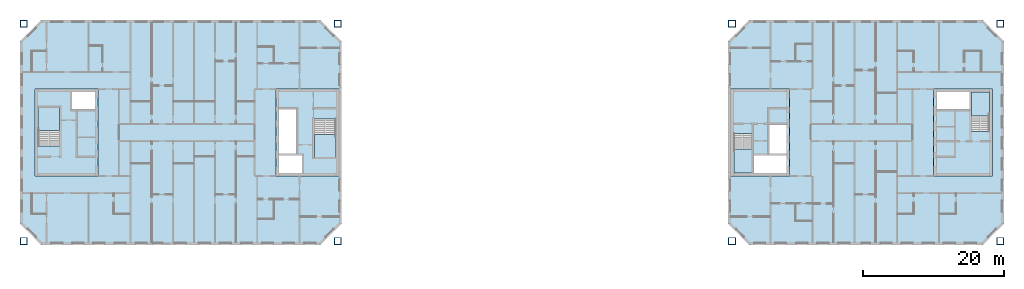
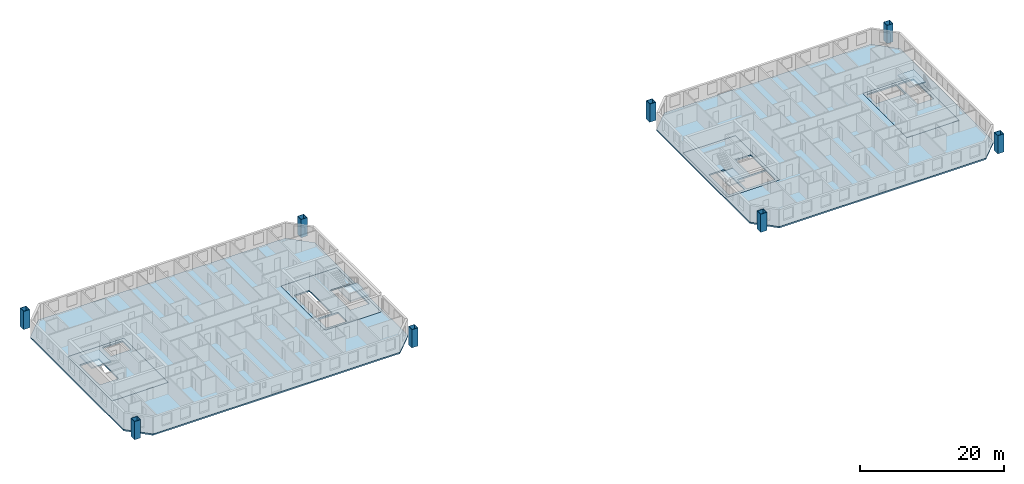
# One storey, part 1 of 15: 10 slabs, 8 columns, 4 elements without a shape of their own.
"""IFC4 building model written with IfcOpenShell, lengths in metres."""

from ifc_helpers import new_model, si_unit, direction, frame, origin, origin_2d, place, context, subcontext, project, spatial, polyline, hollow_rectangle, outline, extrude, material, layer, layer_set, material_profile, profile_set, type_object, element, aggregate, save


model = new_model("IFC4")

# Units and contexts
model_context = context("Model", 3, precision=1e-05, world=origin(), true_north=direction((0.0, 1.0)))
body_context = subcontext(model_context, "Body", "Model", "MODEL_VIEW")
ifc_project = project(units=[si_unit("LENGTHUNIT", "METRE"), si_unit("AREAUNIT", "SQUARE_METRE"), si_unit("VOLUMEUNIT", "CUBIC_METRE"), si_unit("PLANEANGLEUNIT", "RADIAN"), si_unit("MASSUNIT", "GRAM", prefix="KILO")], contexts=[model_context])

# Site, building, storey
site_placement = place(None, origin())
site = spatial("IfcSite", under=ifc_project, at=site_placement, CompositionType="ELEMENT")
building_placement = place(site_placement, origin())
building = spatial("IfcBuilding", under=site, at=building_placement, Name="Tuart Gate Housing", CompositionType="ELEMENT")
storey_placement = place(building_placement, frame((0.0, 0.0, 191.300048828125)))
storey = spatial("IfcBuildingStorey", under=building, at=storey_placement, Name="L54", CompositionType="ELEMENT", Elevation=191.300048828125)

# Columns
ifc_material_1 = material(Name="Steel Grade 350", Category="steel")
ifc_material_profile = material_profile(ifc_material_1, hollow_rectangle(XDim=1.0, YDim=1.0, WallThickness=0.054931640625, at=origin_2d()), Name="BOX 1000x1000x55")
ifc_profile_set = profile_set([ifc_material_profile], Name="Steel Grade 350")
column_type = type_object("IfcColumnType", Name="Mega column BOX 1000x1000x55", PredefinedType="COLUMN", material=ifc_profile_set)
for number, where, z_axis, x_axis, name in (
    (1, (30.800048828125, 54.550048828125, 0.0), (0.0, 0.0, 1.0), (1.0, 0.0, 0.0), "Mega column A south-west L54"),
    (2, (75.449951171875, 54.550048828125, 0.0), (0.0, 0.0, 1.0), (1.0, 0.0, 0.0), "Mega column A south-east L54"),
    (3, (75.449951171875, 85.449951171875, 0.0), (0.0, 0.0, 1.0), (1.0, 0.0, 0.0), "Mega column A north-east L54"),
    (4, (30.800048828125, 85.449951171875, 0.0), (0.0, 0.0, 1.0), (1.0, 0.0, 0.0), "Mega column A north-west L54"),
    (5, (131.550048828125, 54.550048828125, 0.0), (0.0, 0.0, 1.0), (1.0, 0.0, 0.0), "Mega column B south-west L54"),
    (6, (169.699951171875, 54.550048828125, 0.0), (0.0, 0.0, 1.0), (1.0, 0.0, 0.0), "Mega column B south-east L54"),
    (7, (169.699951171875, 85.449951171875, 0.0), (0.0, 0.0, 1.0), (1.0, 0.0, 0.0), "Mega column B north-east L54"),
    (8, (131.550048828125, 85.449951171875, 0.0), (0.0, 0.0, 1.0), (1.0, 0.0, 0.0), "Mega column B north-west L54"),
):
    element("IfcColumn", number, at=place(storey_placement, frame(where, z_axis=z_axis, x_axis=x_axis)), inside=storey, type_object=column_type, Name=name, PredefinedType="COLUMN", context=body_context, shape_type="SweptSolid", body=[
        extrude(hollow_rectangle(XDim=1.0, YDim=1.0, WallThickness=0.054931640625, at=origin_2d()), origin(), (0.0, 0.0, 1.0), 3.099853515625),
    ])

# Slabs
ifc_material_2 = material(Name="Concrete C40", Category="concrete")
ifc_layer_1 = layer(ifc_material_2, 0.25)
ifc_layer_set_1 = layer_set([ifc_layer_1], Name="Core floor slab 250")
slab_type_1 = type_object("IfcSlabType", Name="Core floor slab 250", PredefinedType="FLOOR", material=ifc_layer_set_1)
slab_1_placement = place(storey_placement, frame((0.0, 0.0, -0.25)))
element("IfcSlab", 9, at=slab_1_placement, inside=storey, type_object=slab_type_1, Name="Core floor AG", PredefinedType="FLOOR", context=body_context, shape_type="SweptSolid", body=[
    extrude(outline(polyline([(66.639892578125, 63.800048828125), (75.639892578125, 63.800048828125), (75.639892578125, 76.199951171875), (66.639892578125, 76.199951171875), (66.639892578125, 63.800048828125)]), holes=[polyline([(67.090087890625, 64.25), (70.385009765625, 64.25), (70.385009765625, 66.72509765625), (67.090087890625, 66.72509765625), (67.090087890625, 64.25)]), polyline([(67.090087890625, 66.97509765625), (69.56494140625, 66.97509765625), (69.56494140625, 73.324951171875), (67.090087890625, 73.324951171875), (67.090087890625, 66.97509765625)]), polyline([(72.114990234375, 66.35009765625), (75.18994140625, 66.35009765625), (75.18994140625, 71.929931640625), (72.114990234375, 71.929931640625), (72.114990234375, 66.35009765625)])]), origin(), (0.0, 0.0, 1.0), 0.25),
])
slab_2_placement = place(storey_placement, frame((0.0, 0.0, -0.25)))
element("IfcSlab", 10, at=slab_2_placement, inside=storey, type_object=slab_type_1, Name="Core floor AK", PredefinedType="FLOOR", context=body_context, shape_type="SweptSolid", body=[
    extrude(outline(polyline([(32.360107421875, 63.800048828125), (41.360107421875, 63.800048828125), (41.360107421875, 76.199951171875), (32.360107421875, 76.199951171875), (32.360107421875, 63.800048828125)]), holes=[polyline([(40.909912109375, 75.75), (37.614990234375, 75.75), (37.614990234375, 73.27490234375), (40.909912109375, 73.27490234375), (40.909912109375, 75.75)]), polyline([(35.885009765625, 73.64990234375), (32.81005859375, 73.64990234375), (32.81005859375, 68.070068359375), (35.885009765625, 68.070068359375), (35.885009765625, 73.64990234375)])]), origin(), (0.0, 0.0, 1.0), 0.25),
])
slab_3_placement = place(storey_placement, frame((0.0, 0.0, -0.25)))
element("IfcSlab", 11, at=slab_3_placement, inside=storey, type_object=slab_type_1, Name="Core floor BG", PredefinedType="FLOOR", context=body_context, shape_type="SweptSolid", body=[
    extrude(outline(polyline([(131.360107421875, 63.800048828125), (139.760009765625, 63.800048828125), (139.760009765625, 76.199951171875), (131.360107421875, 76.199951171875), (131.360107421875, 63.800048828125)]), holes=[polyline([(139.31005859375, 66.85009765625), (134.635009765625, 66.85009765625), (134.635009765625, 64.25), (139.31005859375, 64.25), (139.31005859375, 66.85009765625)]), polyline([(139.31005859375, 71.125), (136.8349609375, 71.125), (136.8349609375, 66.97509765625), (139.31005859375, 66.97509765625), (139.31005859375, 71.125)]), polyline([(134.385009765625, 69.85498046875), (131.81005859375, 69.85498046875), (131.81005859375, 64.25), (134.385009765625, 64.25), (134.385009765625, 69.85498046875)])]), origin(), (0.0, 0.0, 1.0), 0.25),
])
slab_4_placement = place(storey_placement, frame((0.0, 0.0, -0.25)))
element("IfcSlab", 12, at=slab_4_placement, inside=storey, type_object=slab_type_1, Name="Core floor BK", PredefinedType="FLOOR", context=body_context, shape_type="SweptSolid", body=[
    extrude(outline(polyline([(160.239990234375, 63.800048828125), (168.639892578125, 63.800048828125), (168.639892578125, 76.199951171875), (160.239990234375, 76.199951171875), (160.239990234375, 63.800048828125)]), holes=[polyline([(160.68994140625, 73.14990234375), (165.364990234375, 73.14990234375), (165.364990234375, 75.75), (160.68994140625, 75.75), (160.68994140625, 73.14990234375)]), polyline([(165.614990234375, 70.14501953125), (168.18994140625, 70.14501953125), (168.18994140625, 75.75), (165.614990234375, 75.75), (165.614990234375, 70.14501953125)])]), origin(), (0.0, 0.0, 1.0), 0.25),
])
ifc_material_3 = material(Name="Concrete C40", Category="concrete")
ifc_layer_2 = layer(ifc_material_3, 0.25)
ifc_layer_set_2 = layer_set([ifc_layer_2], Name="Flat plate 250")
slab_type_2 = type_object("IfcSlabType", Name="Flat plate 250", PredefinedType="FLOOR", material=ifc_layer_set_2)
slab_5_placement = place(storey_placement, frame((0.0, 0.0, -0.25)))
element("IfcSlab", 13, at=slab_5_placement, inside=storey, type_object=slab_type_2, Name="Floor slab A L54", PredefinedType="FLOOR", context=body_context, shape_type="SweptSolid", body=[
    extrude(outline(polyline([(33.25, 86.0), (30.25, 83.0), (30.25, 57.0), (33.25, 54.0), (73.0, 54.0), (76.0, 57.0), (76.0, 83.0), (73.0, 86.0), (33.25, 86.0)]), holes=[polyline([(66.639892578125, 76.199951171875), (75.639892578125, 76.199951171875), (75.639892578125, 63.800048828125), (66.639892578125, 63.800048828125), (66.639892578125, 76.199951171875)]), polyline([(41.360107421875, 76.199951171875), (41.360107421875, 63.800048828125), (32.360107421875, 63.800048828125), (32.360107421875, 76.199951171875), (41.360107421875, 76.199951171875)])]), origin(), (0.0, 0.0, 1.0), 0.25),
])
slab_6_placement = place(storey_placement, frame((0.0, 0.0, -0.25)))
element("IfcSlab", 14, at=slab_6_placement, inside=storey, type_object=slab_type_2, Name="Floor slab B L54", PredefinedType="FLOOR", context=body_context, shape_type="SweptSolid", body=[
    extrude(outline(polyline([(134.0, 86.0), (131.0, 83.0), (131.0, 57.0), (134.0, 54.0), (167.25, 54.0), (170.25, 57.0), (170.25, 83.0), (167.25, 86.0), (134.0, 86.0)]), holes=[polyline([(131.360107421875, 76.199951171875), (139.760009765625, 76.199951171875), (139.760009765625, 63.800048828125), (131.360107421875, 63.800048828125), (131.360107421875, 76.199951171875)]), polyline([(168.639892578125, 76.199951171875), (168.639892578125, 63.800048828125), (160.239990234375, 63.800048828125), (160.239990234375, 76.199951171875), (168.639892578125, 76.199951171875)])]), origin(), (0.0, 0.0, 1.0), 0.25),
])

# Stair, slab
ifc_material_4 = material(Name="Concrete C40", Category="concrete")
stair_type_1 = type_object("IfcStairType", Name="Core stair 1500", PredefinedType="HALF_TURN_STAIR", material=ifc_material_4)
stair_1_placement = place(storey_placement, origin())
stair_1 = element("IfcStair", 15, at=stair_1_placement, inside=storey, type_object=stair_type_1, Name="Stair SA1", PredefinedType="HALF_TURN_STAIR")
ifc_material_5 = material(Name="Concrete C40", Category="concrete")
ifc_layer_3 = layer(ifc_material_5, 0.199951171875)
ifc_layer_set_3 = layer_set([ifc_layer_3], Name="Stair landing 200")
slab_type_3 = type_object("IfcSlabType", Name="Stair landing 200", PredefinedType="LANDING", material=ifc_layer_set_3)
slab_7_placement = place(storey_placement, frame((0.0, 0.0, 1.349853515625)))
slab_7 = element("IfcSlab", 16, at=slab_7_placement, type_object=slab_type_3, Name="SA1 landing 1", PredefinedType="LANDING", context=body_context, shape_type="SweptSolid", body=[
    extrude(outline(polyline([(72.114990234375, 66.35009765625), (75.18994140625, 66.35009765625), (75.18994140625, 69.7099609375), (72.114990234375, 69.7099609375), (72.114990234375, 66.35009765625)])), origin(), (0.0, 0.0, 1.0), 0.2001953125),
])
aggregate(stair_1, [slab_7])

stair_2_placement = place(storey_placement, origin())
stair_2 = element("IfcStair", 17, at=stair_2_placement, inside=storey, type_object=stair_type_1, Name="Stair SA2", PredefinedType="HALF_TURN_STAIR")
slab_8_placement = place(storey_placement, frame((0.0, 0.0, 1.349853515625)))
slab_8 = element("IfcSlab", 18, at=slab_8_placement, type_object=slab_type_3, Name="SA2 landing 1", PredefinedType="LANDING", context=body_context, shape_type="SweptSolid", body=[
    extrude(outline(polyline([(35.885009765625, 73.64990234375), (32.81005859375, 73.64990234375), (32.81005859375, 70.2900390625), (35.885009765625, 70.2900390625), (35.885009765625, 73.64990234375)])), origin(), (0.0, 0.0, 1.0), 0.2001953125),
])
aggregate(stair_2, [slab_8])

ifc_material_6 = material(Name="Concrete C40", Category="concrete")
stair_type_2 = type_object("IfcStairType", Name="Core stair 1250", PredefinedType="HALF_TURN_STAIR", material=ifc_material_6)
stair_3_placement = place(storey_placement, origin())
stair_3 = element("IfcStair", 19, at=stair_3_placement, inside=storey, type_object=stair_type_2, Name="Stair SB1", PredefinedType="HALF_TURN_STAIR")
slab_9_placement = place(storey_placement, frame((0.0, 0.0, 1.349853515625)))
slab_9 = element("IfcSlab", 20, at=slab_9_placement, type_object=slab_type_3, Name="SB1 landing 1", PredefinedType="LANDING", context=body_context, shape_type="SweptSolid", body=[
    extrude(outline(polyline([(134.385009765625, 67.635009765625), (131.81005859375, 67.635009765625), (131.81005859375, 64.25), (134.385009765625, 64.25), (134.385009765625, 67.635009765625)])), origin(), (0.0, 0.0, 1.0), 0.2001953125),
])
aggregate(stair_3, [slab_9])

stair_4_placement = place(storey_placement, origin())
stair_4 = element("IfcStair", 21, at=stair_4_placement, inside=storey, type_object=stair_type_2, Name="Stair SB2", PredefinedType="HALF_TURN_STAIR")
slab_10_placement = place(storey_placement, frame((0.0, 0.0, 1.349853515625)))
slab_10 = element("IfcSlab", 22, at=slab_10_placement, type_object=slab_type_3, Name="SB2 landing 1", PredefinedType="LANDING", context=body_context, shape_type="SweptSolid", body=[
    extrude(outline(polyline([(165.614990234375, 72.364990234375), (168.18994140625, 72.364990234375), (168.18994140625, 75.75), (165.614990234375, 75.75), (165.614990234375, 72.364990234375)])), origin(), (0.0, 0.0, 1.0), 0.2001953125),
])
aggregate(stair_4, [slab_10])

save(model, "model.ifc")
